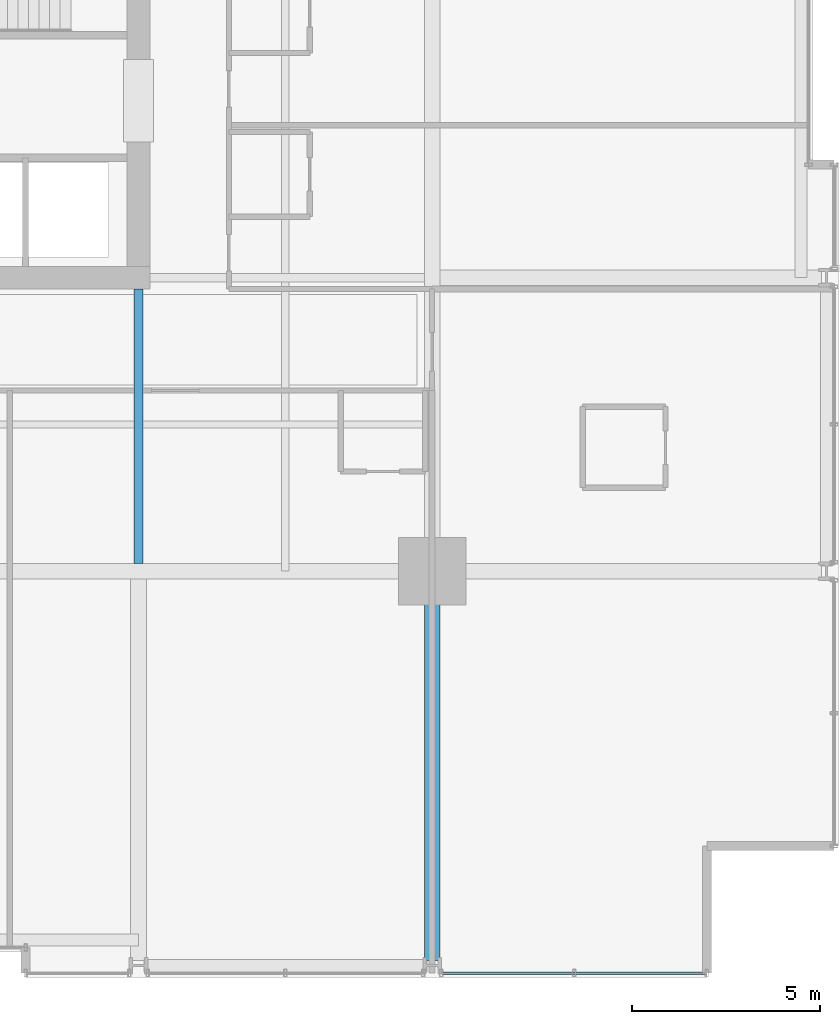
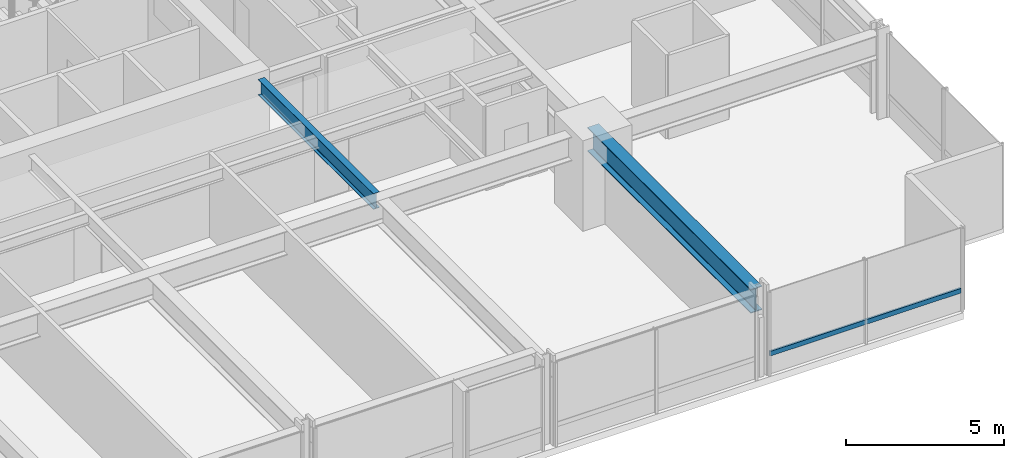
# One storey, part 12 of 38: 2 beams, 1 member, 1 element without a shape of its own.
"""IFC4 building model written with IfcOpenShell, lengths in metres."""

from ifc_helpers import new_model, si_unit, direction, frame, origin, origin_2d, place, context, subcontext, project, spatial, hollow_rectangle, i_section, extrude, material, layer, layer_set, material_profile, profile_set, type_object, element, aggregate, save


model = new_model("IFC4")

# Units and contexts
model_context = context("Model", 3, precision=1e-05, world=origin(), true_north=direction((0.0, 1.0)))
body_context = subcontext(model_context, "Body", "Model", "MODEL_VIEW")
ifc_project = project(units=[si_unit("LENGTHUNIT", "METRE"), si_unit("AREAUNIT", "SQUARE_METRE"), si_unit("VOLUMEUNIT", "CUBIC_METRE"), si_unit("PLANEANGLEUNIT", "RADIAN"), si_unit("MASSUNIT", "GRAM", prefix="KILO")], contexts=[model_context])

# Site, building, storey
site_placement = place(None, origin())
site = spatial("IfcSite", under=ifc_project, at=site_placement, CompositionType="ELEMENT")
building_placement = place(site_placement, origin())
building = spatial("IfcBuilding", under=site, at=building_placement, Name="Drelvath Grand Hotel", CompositionType="ELEMENT")
storey_placement = place(building_placement, frame((0.0, 0.0, 47.199951171875)))
storey = spatial("IfcBuildingStorey", under=building, at=storey_placement, Name="L10", CompositionType="ELEMENT", Elevation=47.199951171875)

# Curtain wall, member
ifc_material_1 = material(Name="Warm Bronze Anodised Aluminium Frame", Category="aluminium")
ifc_layer = layer(ifc_material_1, 0.199951171875)
ifc_layer_set = layer_set([ifc_layer], Name="Warm Bronze Anodised Aluminium Frame")
curtain_wall_type = type_object("IfcCurtainWallType", Name="Stick Curtain Wall CW-02 Warm Bronze Low-Rise", PredefinedType="NOTDEFINED", material=ifc_layer_set)
curtain_wall_placement = place(storey_placement, origin())
curtain_wall = element("IfcCurtainWall", 1, at=curtain_wall_placement, inside=storey, type_object=curtain_wall_type, Name="L10 CW-02 Curtain Wall CW02-L10-SE3", PredefinedType="NOTDEFINED")
ifc_material_profile_1 = material_profile(ifc_material_1, hollow_rectangle(XDim=0.074951171875, YDim=0.179931640625, WallThickness=0.0048828125, at=origin_2d()), Name="HSS180X75X5")
ifc_profile_set_1 = profile_set([ifc_material_profile_1], Name="Warm Bronze Anodised Aluminium Frame")
member_type = type_object("IfcMemberType", Name="Curtain Wall Horizontal Transom CW-02 HSS180X75X5", PredefinedType="USERDEFINED", material=ifc_profile_set_1)
member_placement = place(storey_placement, frame((23.4599609375, 0.1201171875, 0.81005859375), z_axis=(-1.0, 0.0, 0.0), x_axis=(0.0, -1.0, 0.0)))
member = element("IfcMember", 2, at=member_placement, type_object=member_type, Name="CW02-L10-SE3 Sill Transom", ObjectType="TRANSOM", PredefinedType="USERDEFINED", context=body_context, shape_type="SweptSolid", body=[
    extrude(hollow_rectangle(XDim=0.074951171875, YDim=0.179931640625, WallThickness=0.0048828125, at=origin_2d()), origin(), (0.0, 0.0, 1.0), 6.97900390625),
])
aggregate(curtain_wall, [member])

# Beams
ifc_material_2 = material(Name="Steel ASTM A992 Gr 50", Category="steel")
ifc_material_profile_2 = material_profile(ifc_material_2, i_section(OverallWidth=0.228271484375, OverallDepth=0.607666015625, WebThickness=0.01123046875, FlangeThickness=0.017333984375, FilletRadius=0.02001953125, at=origin_2d()), Name="W24X76")
ifc_profile_set_2 = profile_set([ifc_material_profile_2], Name="Steel ASTM A992 Gr 50")
beam_type_1 = type_object("IfcBeamType", Name="Primary Floor Girder W24X76", PredefinedType="BEAM", material=ifc_profile_set_2)
beam_1_placement = place(storey_placement, frame((8.39990234375, 11.00927734375, 2.936279296875), z_axis=(0.0, 1.0, 0.0), x_axis=(-1.0, 0.0, 0.0)))
element("IfcBeam", 3, at=beam_1_placement, inside=storey, type_object=beam_type_1, Name="L10 South Core Tie 6", PredefinedType="BEAM", context=body_context, shape_type="SweptSolid", body=[
    extrude(i_section(OverallWidth=0.228271484375, OverallDepth=0.607666015625, WebThickness=0.01123046875, FlangeThickness=0.017333984375, FilletRadius=0.02001953125, at=origin_2d()), origin(), (0.0, 0.0, 1.0), 7.290771484375),
])
ifc_material_profile_3 = material_profile(ifc_material_2, i_section(OverallWidth=0.418212890625, OverallDepth=0.926513671875, WebThickness=0.019287109375, FlangeThickness=0.031982421875, FilletRadius=0.028076171875, at=origin_2d()), Name="W36X231")
ifc_profile_set_3 = profile_set([ifc_material_profile_3], Name="Steel ASTM A992 Gr 50")
beam_type_2 = type_object("IfcBeamType", Name="Primary Floor Girder W36X231", PredefinedType="BEAM", material=ifc_profile_set_3)
beam_2_placement = place(storey_placement, frame((16.199951171875, 0.4599609375, 2.77685546875), z_axis=(0.0, 1.0, 0.0), x_axis=(-1.0, 0.0, 0.0)))
element("IfcBeam", 4, at=beam_2_placement, inside=storey, type_object=beam_type_2, Name="L10 South Grid Girder 7", PredefinedType="BEAM", context=body_context, shape_type="SweptSolid", body=[
    extrude(i_section(OverallWidth=0.418212890625, OverallDepth=0.926513671875, WebThickness=0.019287109375, FlangeThickness=0.031982421875, FilletRadius=0.028076171875, at=origin_2d()), origin(), (0.0, 0.0, 1.0), 10.340087890625),
])

save(model, "model.ifc")
